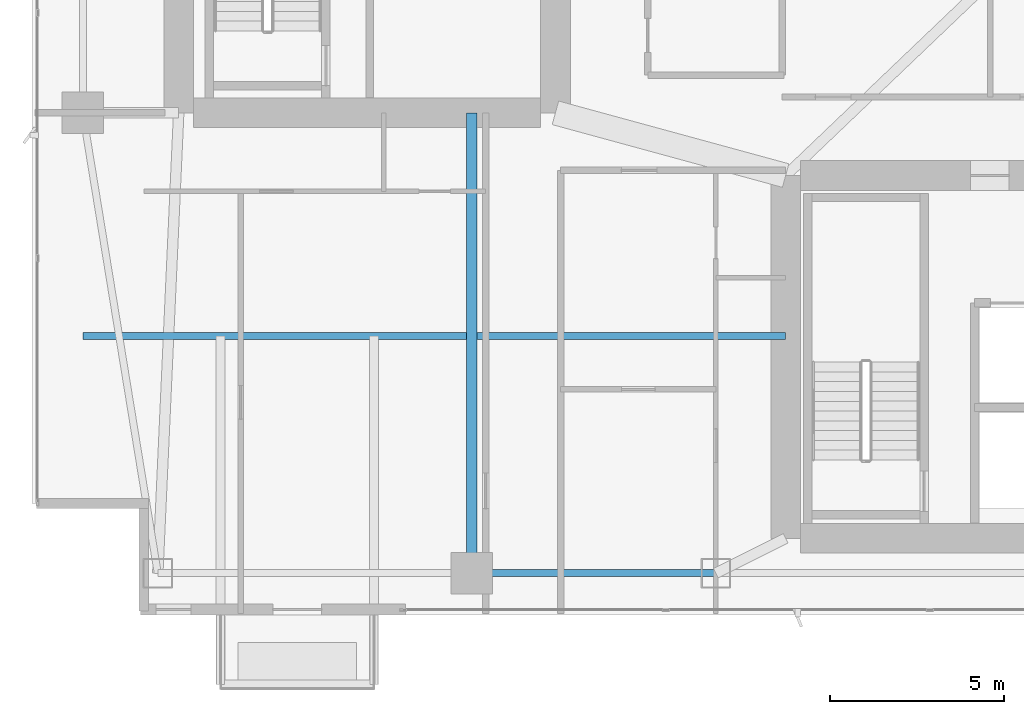
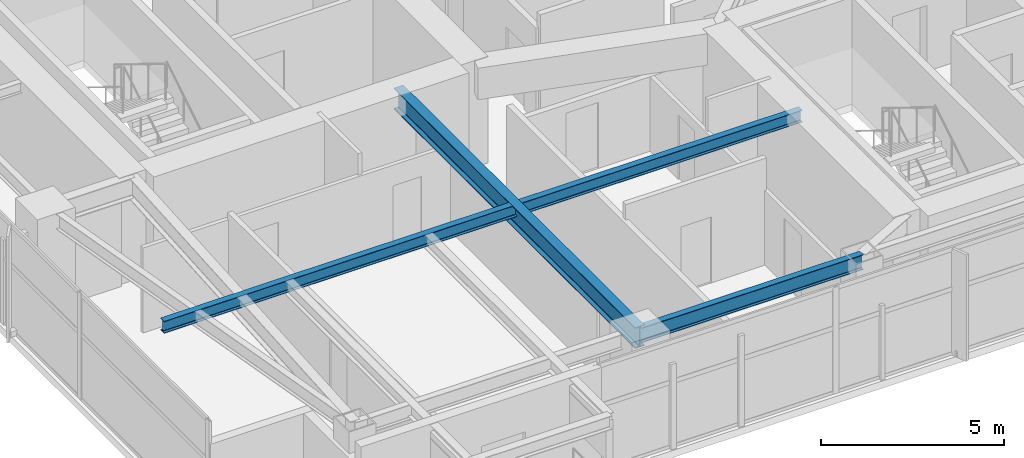
# One storey, part 5 of 28: 3 beams.
"""IFC4 building model written with IfcOpenShell, lengths in metres."""

from ifc_helpers import new_model, si_unit, direction, frame, origin, origin_2d, place, context, subcontext, project, spatial, i_section, extrude, material, material_profile, profile_set, type_object, element, save


model = new_model("IFC4")

# Units and contexts
model_context = context("Model", 3, precision=1e-05, world=origin(), true_north=direction((0.0, 1.0)))
body_context = subcontext(model_context, "Body", "Model", "MODEL_VIEW")
ifc_project = project(units=[si_unit("LENGTHUNIT", "METRE"), si_unit("AREAUNIT", "SQUARE_METRE"), si_unit("VOLUMEUNIT", "CUBIC_METRE"), si_unit("PLANEANGLEUNIT", "RADIAN"), si_unit("MASSUNIT", "GRAM", prefix="KILO")], contexts=[model_context])

# Site, building, storey
site_placement = place(None, origin())
site = spatial("IfcSite", under=ifc_project, at=site_placement, CompositionType="ELEMENT")
building_placement = place(site_placement, origin())
building = spatial("IfcBuilding", under=site, at=building_placement, Name="Calvorn Quay Hotel", CompositionType="ELEMENT")
storey_placement = place(building_placement, frame((0.0, 0.0, 112.60009765625)))
storey = spatial("IfcBuildingStorey", under=building, at=storey_placement, Name="L27", CompositionType="ELEMENT", Elevation=112.60009765625)

# Beams
ifc_material_1 = material(Name="Steel Q390GJC", Category="steel")
ifc_material_profile_1 = material_profile(ifc_material_1, i_section(OverallWidth=0.300048828125, OverallDepth=0.699951171875, WebThickness=0.012939453125, FlangeThickness=0.02392578125, FilletRadius=0.02392578125, at=origin_2d()), Name="HN700x300x13x24")
ifc_profile_set_1 = profile_set([ifc_material_profile_1], Name="Steel Q390GJC")
beam_type_1 = type_object("IfcBeamType", Name="BM-GIRD-MAIN", PredefinedType="BEAM", material=ifc_profile_set_1)
beam_1_placement = place(storey_placement, frame((12.60009765625, 3.60009765625, 3.18994140625), z_axis=(0.0, 1.0, 0.0), x_axis=(-1.0, 0.0, 0.0)))
element("IfcBeam", 1, at=beam_1_placement, inside=storey, type_object=beam_type_1, Name="Beam BG-L27-S1", PredefinedType="BEAM", context=body_context, shape_type="SweptSolid", body=[
    extrude(i_section(OverallWidth=0.300048828125, OverallDepth=0.699951171875, WebThickness=0.012939453125, FlangeThickness=0.02392578125, FilletRadius=0.02392578125, at=origin_2d()), origin(), (0.0, 0.0, 1.0), 13.199951171875),
])
ifc_material_2 = material(Name="Steel Q355B", Category="steel")
ifc_material_profile_2 = material_profile(ifc_material_2, i_section(OverallWidth=0.199951171875, OverallDepth=0.39990234375, WebThickness=0.008056640625, FlangeThickness=0.012939453125, FilletRadius=0.01611328125, at=origin_2d()), Name="HN400x200x8x13")
ifc_profile_set_2 = profile_set([ifc_material_profile_2], Name="Steel Q355B")
beam_type_2 = type_object("IfcBeamType", Name="BM-JOIST-TYP", PredefinedType="JOIST", material=ifc_profile_set_2)
beam_2_placement = place(storey_placement, frame((1.449951171875, 10.39990234375, 3.33984375), z_axis=(1.0, 0.0, 0.0), x_axis=(0.0, 1.0, 0.0)))
element("IfcBeam", 2, at=beam_2_placement, inside=storey, type_object=beam_type_2, Name="Beam BJ-L27-W1", PredefinedType="JOIST", context=body_context, shape_type="SweptSolid", body=[
    extrude(i_section(OverallWidth=0.199951171875, OverallDepth=0.39990234375, WebThickness=0.008056640625, FlangeThickness=0.012939453125, FilletRadius=0.01611328125, at=origin_2d()), origin(), (0.0, 0.0, 1.0), 20.150146484375),
])
ifc_material_3 = material(Name="Steel Q355B", Category="steel")
ifc_material_profile_3 = material_profile(ifc_material_3, i_section(OverallWidth=0.199951171875, OverallDepth=0.5, WebThickness=0.010009765625, FlangeThickness=0.01611328125, FilletRadius=0.01611328125, at=origin_2d()), Name="HN500x200x10x16")
ifc_profile_set_3 = profile_set([ifc_material_profile_3], Name="Steel Q355B")
beam_type_3 = type_object("IfcBeamType", Name="BM-SPANDREL-Z1", PredefinedType="SPANDREL", material=ifc_profile_set_3)
beam_3_placement = place(storey_placement, frame((12.60009765625, 3.60009765625, 3.289794921875), z_axis=(1.0, 0.0, 0.0), x_axis=(0.0, 1.0, 0.0)))
element("IfcBeam", 3, at=beam_3_placement, inside=storey, type_object=beam_type_3, Name="Beam BSP-L27-S2", PredefinedType="SPANDREL", context=body_context, shape_type="SweptSolid", body=[
    extrude(i_section(OverallWidth=0.199951171875, OverallDepth=0.5, WebThickness=0.010009765625, FlangeThickness=0.01611328125, FilletRadius=0.01611328125, at=origin_2d()), origin(), (0.0, 0.0, 1.0), 7.0),
])

save(model, "model.ifc")
